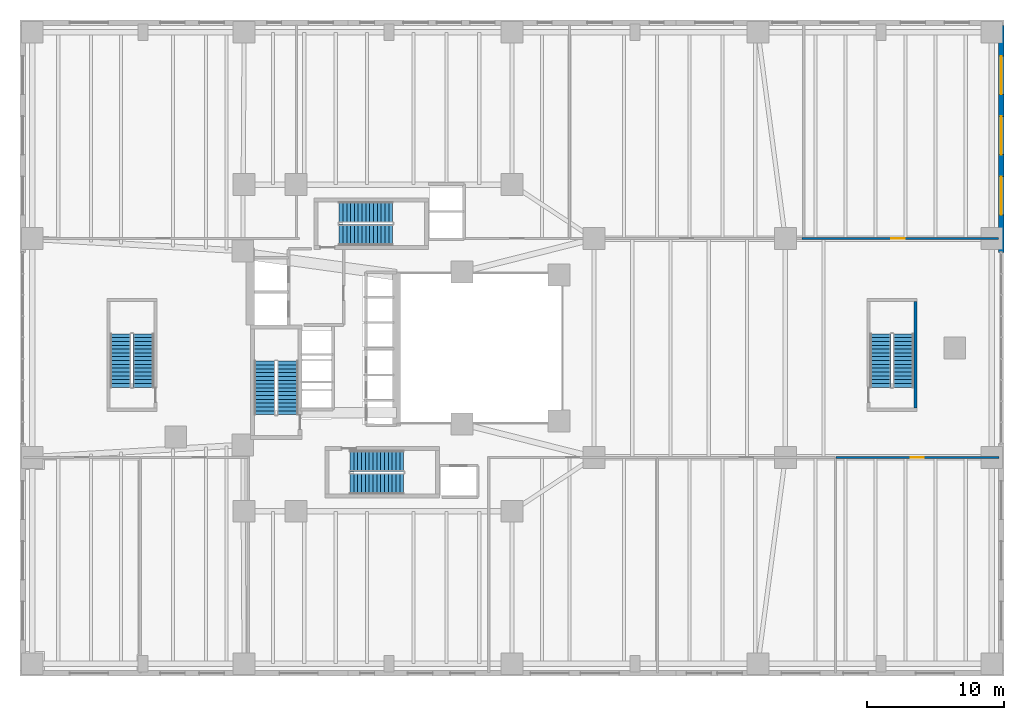
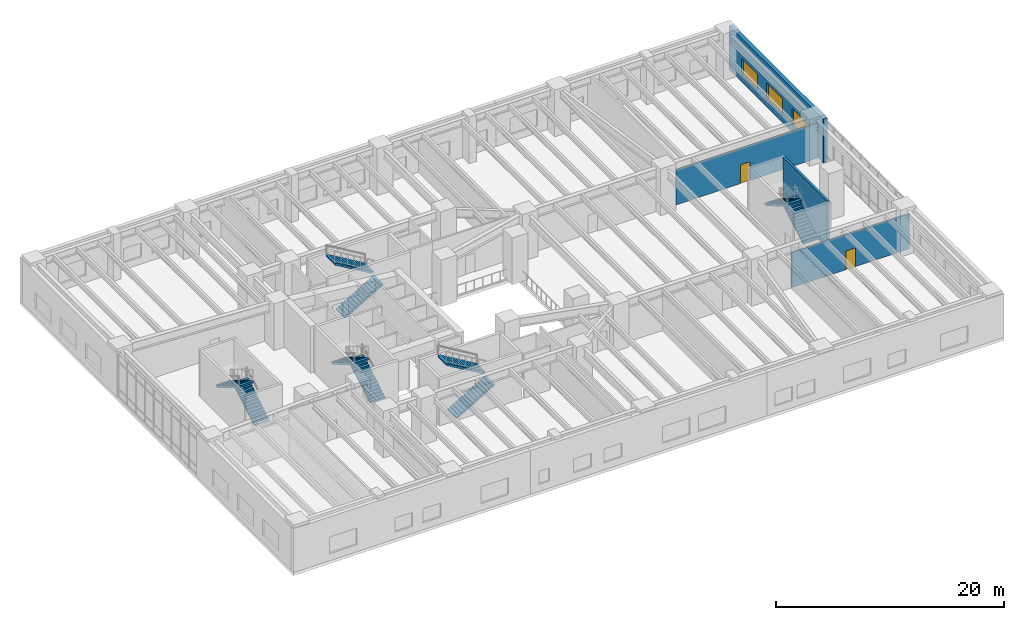
# One storey, part 16 of 18: 10 stair flights, 4 walls, 3 windows, 2 doors, 5 openings, 5 elements without a shape of their own.
"""IFC4 building model written with IfcOpenShell, lengths in metres."""

from ifc_helpers import new_model, si_unit, direction, frame, frame_2d, origin, place, context, subcontext, project, spatial, polyline, rectangle, outline, extrude, material, layer, layer_set, type_object, element, fill, aggregate, save


model = new_model("IFC4")

# Units and contexts
model_context = context("Model", 3, precision=1e-05, world=origin(), true_north=direction((0.0, 1.0)))
body_context = subcontext(model_context, "Body", "Model", "MODEL_VIEW")
ifc_project = project(units=[si_unit("LENGTHUNIT", "METRE"), si_unit("AREAUNIT", "SQUARE_METRE"), si_unit("VOLUMEUNIT", "CUBIC_METRE"), si_unit("PLANEANGLEUNIT", "RADIAN"), si_unit("MASSUNIT", "GRAM", prefix="KILO"), si_unit("THERMODYNAMICTEMPERATUREUNIT", "KELVIN"), si_unit("POWERUNIT", "WATT")], contexts=[model_context])

# Site, building, storey
site_placement = place(None, origin())
site = spatial("IfcSite", under=ifc_project, at=site_placement, CompositionType="ELEMENT")
building_placement = place(site_placement, origin())
building = spatial("IfcBuilding", under=site, at=building_placement, Name="Skarre Station Tower", CompositionType="ELEMENT")
storey_placement = place(building_placement, frame((0.0, 0.0, 11.0)))
storey = spatial("IfcBuildingStorey", under=building, at=storey_placement, Name="L03", CompositionType="ELEMENT", Elevation=11.0)

# Wall, opening, door
ifc_material_1 = material(Name="Acoustic Steel-Stud Gypsum Partition", Category="steel")
ifc_layer_1 = layer(ifc_material_1, 0.14990234375, Name="Acoustic Steel-Stud Gypsum Partition")
ifc_layer_set_1 = layer_set([ifc_layer_1], Name="Acoustic Steel-Stud Gypsum Partition")
wall_type_1 = type_object("IfcWallType", Name="Fire-Rated Corridor Acoustic Partition 150", PredefinedType="PARTITIONING", material=ifc_layer_set_1)
wall_1_placement = place(storey_placement, frame((59.7041015625, 15.97998046875, 0.0), z_axis=(0.0, 0.0, 1.0), x_axis=(1.0, 0.0, 0.0)))
wall_1 = element("IfcWall", 1, at=wall_1_placement, inside=storey, type_object=wall_type_1, Name="L03 Interior Partition WL-PT-L03-PDSE3-CW", PredefinedType="PARTITIONING", context=body_context, shape_type="SweptSolid", body=[
    extrude(rectangle(XDim=11.916015625, YDim=0.14990234375, at=frame_2d((5.9580078125, 0.0))), origin(), (0.0, 0.0, 1.0), 3.741943359375),
])
opening_1_placement = place(wall_1_placement, frame((5.47802734375, 0.0, 0.0)))
opening_1 = element("IfcOpeningElement", 2, at=opening_1_placement, cuts=wall_1, Name="Opening DR-FD60", PredefinedType="OPENING", context=body_context, shape_type="SweptSolid", body=[
    extrude(rectangle(XDim=0.9599609375, YDim=2.0, at=frame_2d((0.47998046875, 1.0))), frame((0.0, 0.0849609375, 0.0), z_axis=(0.0, -1.0, 0.0), x_axis=(1.0, 0.0, 0.0)), (0.0, 0.0, 1.0), 0.169921875),
])
ifc_material_2 = material(Name="Nordic White-Oak Veneer Solid-Core Fire Leaf", Category="wood")
door_type = type_object("IfcDoorType", Name="Corridor Suite Entry Fire Door FD60 960x2150", OperationType="SINGLE_SWING_LEFT", PredefinedType="DOOR", material=ifc_material_2)
door_1_placement = place(opening_1_placement, origin())
door_1 = element("IfcDoor", 3, at=door_1_placement, inside=storey, type_object=door_type, Name="L03 PDSE3 Entry Door", OperationType="SINGLE_SWING_LEFT", OverallHeight=2.0, OverallWidth=0.9599609375, PredefinedType="DOOR", context=body_context, shape_type="SweptSolid", body=[
    extrude(rectangle(XDim=0.9599609375, YDim=2.0, at=frame_2d((0.47998046875, 1.0))), frame((0.0, 0.02490234375, 0.0), z_axis=(0.0, -1.0, 0.0), x_axis=(1.0, 0.0, 0.0)), (0.0, 0.0, 1.0), 0.050048828125),
])
fill(opening_1, door_1)

wall_2_placement = place(storey_placement, frame((71.60498046875, 32.02001953125, 0.0), z_axis=(0.0, 0.0, 1.0), x_axis=(-1.0, 0.0, 0.0)))
wall_2 = element("IfcWall", 4, at=wall_2_placement, inside=storey, type_object=wall_type_1, Name="L03 Interior Partition WL-PT-L03-PDN4-CW", PredefinedType="PARTITIONING", context=body_context, shape_type="SweptSolid", body=[
    extrude(rectangle(XDim=14.380859375, YDim=0.14990234375, at=frame_2d((7.1904296875, 0.0))), origin(), (0.0, 0.0, 1.0), 3.741943359375),
])
opening_2_placement = place(wall_2_placement, frame((6.8798828125, 0.0, 0.0)))
opening_2 = element("IfcOpeningElement", 5, at=opening_2_placement, cuts=wall_2, Name="Opening DR-FD60", PredefinedType="OPENING", context=body_context, shape_type="SweptSolid", body=[
    extrude(rectangle(XDim=0.9599609375, YDim=2.0, at=frame_2d((0.47998046875, 1.0))), frame((0.0, 0.0849609375, 0.0), z_axis=(0.0, -1.0, 0.0), x_axis=(1.0, 0.0, 0.0)), (0.0, 0.0, 1.0), 0.169921875),
])
door_2_placement = place(opening_2_placement, origin())
door_2 = element("IfcDoor", 6, at=door_2_placement, inside=storey, type_object=door_type, Name="L03 PDN4 Entry Door", OperationType="SINGLE_SWING_LEFT", OverallHeight=2.0, OverallWidth=0.9599609375, PredefinedType="DOOR", context=body_context, shape_type="SweptSolid", body=[
    extrude(rectangle(XDim=0.9599609375, YDim=2.0, at=frame_2d((0.47998046875, 1.0))), frame((0.0, 0.02490234375, 0.0), z_axis=(0.0, -1.0, 0.0), x_axis=(1.0, 0.0, 0.0)), (0.0, 0.0, 1.0), 0.050048828125),
])
fill(opening_2, door_2)

# Wall, openings, windows
ifc_material_3 = material(Name="Precast concrete C45/55", Category="concrete")
ifc_layer_2 = layer(ifc_material_3, 0.39990234375, Name="Precast concrete C45/55")
ifc_layer_set_2 = layer_set([ifc_layer_2], Name="Precast concrete C45/55")
wall_type_2 = type_object("IfcWallType", Name="Nordic Granite Station Podium Wall 400", PredefinedType="STANDARD", material=ifc_layer_set_2)
wall_3_placement = place(storey_placement, frame((71.800048828125, 47.60009765625, 0.0), z_axis=(0.0, 0.0, 1.0), x_axis=(0.0, -1.0, 0.0)))
wall_3 = element("IfcWall", 7, at=wall_3_placement, inside=storey, type_object=wall_type_2, Name="L03 Podium Granite Wall EA", PredefinedType="STANDARD", context=body_context, shape_type="SweptSolid", body=[
    extrude(rectangle(XDim=16.60009765625, YDim=0.39990234375, at=frame_2d((8.300048828125, 0.0))), origin(), (0.0, 0.0, 1.0), 4.68994140625),
])
opening_3_placement = place(wall_3_placement, frame((2.242919921875, 0.0, 0.75)))
opening_3 = element("IfcOpeningElement", 8, at=opening_3_placement, cuts=wall_3, Name="Opening WN-POD", PredefinedType="OPENING", context=body_context, shape_type="SweptSolid", body=[
    extrude(rectangle(XDim=2.800048828125, YDim=1.800048828125, at=frame_2d((1.39990234375, 0.89990234375))), frame((0.0, 0.2099609375, 0.0), z_axis=(0.0, -1.0, 0.0), x_axis=(1.0, 0.0, 0.0)), (0.0, 0.0, 1.0), 0.419921875),
])
opening_4_placement = place(wall_3_placement, frame((6.64990234375, 0.0, 0.75)))
opening_4 = element("IfcOpeningElement", 9, at=opening_4_placement, cuts=wall_3, Name="Opening WN-POD", PredefinedType="OPENING", context=body_context, shape_type="SweptSolid", body=[
    extrude(rectangle(XDim=2.800048828125, YDim=1.800048828125, at=frame_2d((1.39990234375, 0.89990234375))), frame((0.0, 0.2099609375, 0.0), z_axis=(0.0, -1.0, 0.0), x_axis=(1.0, 0.0, 0.0)), (0.0, 0.0, 1.0), 0.419921875),
])
opening_5_placement = place(wall_3_placement, frame((11.056884765625, 0.0, 0.75)))
opening_5 = element("IfcOpeningElement", 10, at=opening_5_placement, cuts=wall_3, Name="Opening WN-POD", PredefinedType="OPENING", context=body_context, shape_type="SweptSolid", body=[
    extrude(rectangle(XDim=2.800048828125, YDim=1.800048828125, at=frame_2d((1.39990234375, 0.89990234375))), frame((0.0, 0.2099609375, 0.0), z_axis=(0.0, -1.0, 0.0), x_axis=(1.0, 0.0, 0.0)), (0.0, 0.0, 1.0), 0.419921875),
])
ifc_material_4 = material(Name="Low-Iron Triple Glazing with Bronze Anodized Frame", Category="glass")
window_type = type_object("IfcWindowType", Name="Podium Clerestory Ribbon Window 2800x1800", PartitioningType="SINGLE_PANEL", PredefinedType="WINDOW", material=ifc_material_4)
window_1_placement = place(opening_3_placement, origin())
window_1 = element("IfcWindow", 11, at=window_1_placement, inside=storey, type_object=window_type, Name="L03 Facade Window WL-POD-L03-EA-1", OverallHeight=1.800048828125, OverallWidth=2.800048828125, PartitioningType="SINGLE_PANEL", PredefinedType="WINDOW", context=body_context, shape_type="SweptSolid", body=[
    extrude(rectangle(XDim=2.800048828125, YDim=1.800048828125, at=frame_2d((1.39990234375, 0.89990234375))), frame((0.0, 0.030029296875, 0.0), z_axis=(0.0, -1.0, 0.0), x_axis=(1.0, 0.0, 0.0)), (0.0, 0.0, 1.0), 0.06005859375),
])
fill(opening_3, window_1)
window_2_placement = place(opening_4_placement, origin())
window_2 = element("IfcWindow", 12, at=window_2_placement, inside=storey, type_object=window_type, Name="L03 Facade Window WL-POD-L03-EA-2", OverallHeight=1.800048828125, OverallWidth=2.800048828125, PartitioningType="SINGLE_PANEL", PredefinedType="WINDOW", context=body_context, shape_type="SweptSolid", body=[
    extrude(rectangle(XDim=2.800048828125, YDim=1.800048828125, at=frame_2d((1.39990234375, 0.89990234375))), frame((0.0, 0.030029296875, 0.0), z_axis=(0.0, -1.0, 0.0), x_axis=(1.0, 0.0, 0.0)), (0.0, 0.0, 1.0), 0.06005859375),
])
fill(opening_4, window_2)
window_3_placement = place(opening_5_placement, origin())
window_3 = element("IfcWindow", 13, at=window_3_placement, inside=storey, type_object=window_type, Name="L03 Facade Window WL-POD-L03-EA-3", OverallHeight=1.800048828125, OverallWidth=2.800048828125, PartitioningType="SINGLE_PANEL", PredefinedType="WINDOW", context=body_context, shape_type="SweptSolid", body=[
    extrude(rectangle(XDim=2.800048828125, YDim=1.800048828125, at=frame_2d((1.39990234375, 0.89990234375))), frame((0.0, 0.030029296875, 0.0), z_axis=(0.0, -1.0, 0.0), x_axis=(1.0, 0.0, 0.0)), (0.0, 0.0, 1.0), 0.06005859375),
])
fill(opening_5, window_3)

# Wall
ifc_material_5 = material(Name="Concrete C50/60", Category="concrete")
ifc_layer_3 = layer(ifc_material_5, 0.239990234375, Name="Concrete C50/60")
ifc_layer_set_3 = layer_set([ifc_layer_3], Name="Concrete C50/60")
wall_type_3 = type_object("IfcWallType", Name="RC Core Shear Wall 240", PredefinedType="SHEAR", material=ifc_layer_set_3)
wall_4_placement = place(storey_placement, frame((65.52001953125, 19.60009765625, 0.0), z_axis=(0.0, 0.0, 1.0), x_axis=(0.0, 1.0, 0.0)))
element("IfcWall", 14, at=wall_4_placement, inside=storey, type_object=wall_type_3, Name="L03 Podium Stair ST-5 East Shear Wall", PredefinedType="SHEAR", context=body_context, shape_type="SweptSolid", body=[
    extrude(rectangle(XDim=7.7998046875, YDim=0.239990234375, at=frame_2d((3.89990234375, 0.0))), origin(), (0.0, 0.0, 1.0), 5.0),
])

# Stair, stair flights
ifc_material_6 = material(Name="Concrete C40/50", Category="concrete")
stair_type_1 = type_object("IfcStairType", Name="Reinforced Concrete Exit Stair ST-1", PredefinedType="HALF_TURN_STAIR", material=ifc_material_6)
stair_1_placement = place(storey_placement, origin())
stair_1 = element("IfcStair", 15, at=stair_1_placement, inside=storey, type_object=stair_type_1, Name="L03 Core Exit Stair ST-1", PredefinedType="HALF_TURN_STAIR")
stair_flight_type_1 = type_object("IfcStairFlightType", Name="Reinforced Concrete Stair Flight ST-1", PredefinedType="STRAIGHT", material=ifc_material_6)
stair_flight_1_placement = place(storey_placement, frame((19.590087890625, 19.1201171875, 0.0), z_axis=(0.0, 0.0, 1.0), x_axis=(0.0, 1.0, 0.0)))
stair_flight_1 = element("IfcStairFlight", 16, at=stair_flight_1_placement, type_object=stair_flight_type_1, Name="ST-1 flight 1", NumberOfRisers=15, NumberOfTreads=14, PredefinedType="STRAIGHT", RiserHeight=0.166666667, TreadLength=0.28, context=body_context, shape_type="SweptSolid", body=[
    extrude(outline(polyline([(0.0, 0.0), (0.0, 0.166748046875), (0.280029296875, 0.166748046875), (0.280029296875, 0.333251953125), (0.56005859375, 0.333251953125), (0.56005859375, 0.5), (0.840087890625, 0.5), (0.840087890625, 0.666748046875), (1.1201171875, 0.666748046875), (1.1201171875, 0.833251953125), (1.39990234375, 0.833251953125), (1.39990234375, 1.0), (1.679931640625, 1.0), (1.679931640625, 1.166748046875), (1.9599609375, 1.166748046875), (1.9599609375, 1.333251953125), (2.239990234375, 1.333251953125), (2.239990234375, 1.5), (2.52001953125, 1.5), (2.52001953125, 1.666748046875), (2.800048828125, 1.666748046875), (2.800048828125, 1.833251953125), (3.080078125, 1.833251953125), (3.080078125, 2.0), (3.360107421875, 2.0), (3.360107421875, 2.166748046875), (3.639892578125, 2.166748046875), (3.639892578125, 2.333251953125), (3.919921875, 2.333251953125), (3.919921875, 2.5), (3.919921875, 2.158935546875), (0.29296875, 0.0), (0.0, 0.0)])), frame((0.0, 0.760009765625, 0.0), z_axis=(0.0, -1.0, 0.0), x_axis=(1.0, 0.0, 0.0)), (0.0, 0.0, 1.0), 1.52001953125),
])
stair_flight_2_placement = place(storey_placement, frame((17.909912109375, 23.0400390625, 2.5), z_axis=(0.0, 0.0, 1.0), x_axis=(0.0, -1.0, 0.0)))
stair_flight_2 = element("IfcStairFlight", 17, at=stair_flight_2_placement, type_object=stair_flight_type_1, Name="ST-1 flight 2", NumberOfRisers=15, NumberOfTreads=14, PredefinedType="STRAIGHT", RiserHeight=0.166666667, TreadLength=0.28, context=body_context, shape_type="SweptSolid", body=[
    extrude(outline(polyline([(0.0, 0.0), (0.0, 0.166748046875), (0.280029296875, 0.166748046875), (0.280029296875, 0.333251953125), (0.56005859375, 0.333251953125), (0.56005859375, 0.5), (0.840087890625, 0.5), (0.840087890625, 0.666748046875), (1.1201171875, 0.666748046875), (1.1201171875, 0.833251953125), (1.39990234375, 0.833251953125), (1.39990234375, 1.0), (1.679931640625, 1.0), (1.679931640625, 1.166748046875), (1.9599609375, 1.166748046875), (1.9599609375, 1.333251953125), (2.239990234375, 1.333251953125), (2.239990234375, 1.5), (2.52001953125, 1.5), (2.52001953125, 1.666748046875), (2.800048828125, 1.666748046875), (2.800048828125, 1.833251953125), (3.080078125, 1.833251953125), (3.080078125, 2.0), (3.360107421875, 2.0), (3.360107421875, 2.166748046875), (3.639892578125, 2.166748046875), (3.639892578125, 2.333251953125), (3.919921875, 2.333251953125), (3.919921875, 2.5), (3.919921875, 2.158935546875), (0.29296875, 0.0), (0.0, 0.0)])), frame((0.0, 0.760009765625, 0.0), z_axis=(0.0, -1.0, 0.0), x_axis=(1.0, 0.0, 0.0)), (0.0, 0.0, 1.0), 1.52001953125),
])
aggregate(stair_1, [stair_flight_1, stair_flight_2])

stair_type_2 = type_object("IfcStairType", Name="Reinforced Concrete Exit Stair ST-2", PredefinedType="HALF_TURN_STAIR", material=ifc_material_6)
stair_2_placement = place(storey_placement, origin())
stair_2 = element("IfcStair", 18, at=stair_2_placement, inside=storey, type_object=stair_type_2, Name="L03 Core Exit Stair ST-2", PredefinedType="HALF_TURN_STAIR")
stair_flight_type_2 = type_object("IfcStairFlightType", Name="Reinforced Concrete Stair Flight ST-2", PredefinedType="STRAIGHT", material=ifc_material_6)
stair_flight_3_placement = place(storey_placement, frame((24.14990234375, 14.06005859375, 0.0), z_axis=(0.0, 0.0, 1.0), x_axis=(1.0, 0.0, 0.0)))
stair_flight_3 = element("IfcStairFlight", 19, at=stair_flight_3_placement, type_object=stair_flight_type_2, Name="ST-2 flight 1", NumberOfRisers=15, NumberOfTreads=14, PredefinedType="STRAIGHT", RiserHeight=0.166666667, TreadLength=0.28, context=body_context, shape_type="SweptSolid", body=[
    extrude(outline(polyline([(0.0, 0.0), (0.0, 0.166748046875), (0.280029296875, 0.166748046875), (0.280029296875, 0.333251953125), (0.56005859375, 0.333251953125), (0.56005859375, 0.5), (0.840087890625, 0.5), (0.840087890625, 0.666748046875), (1.1201171875, 0.666748046875), (1.1201171875, 0.833251953125), (1.39990234375, 0.833251953125), (1.39990234375, 1.0), (1.679931640625, 1.0), (1.679931640625, 1.166748046875), (1.9599609375, 1.166748046875), (1.9599609375, 1.333251953125), (2.239990234375, 1.333251953125), (2.239990234375, 1.5), (2.52001953125, 1.5), (2.52001953125, 1.666748046875), (2.800048828125, 1.666748046875), (2.800048828125, 1.833251953125), (3.080078125, 1.833251953125), (3.080078125, 2.0), (3.360107421875, 2.0), (3.360107421875, 2.166748046875), (3.639892578125, 2.166748046875), (3.639892578125, 2.333251953125), (3.919921875, 2.333251953125), (3.919921875, 2.5), (3.919921875, 2.158935546875), (0.29296875, 0.0), (0.0, 0.0)])), frame((0.0, 0.760009765625, 0.0), z_axis=(0.0, -1.0, 0.0), x_axis=(1.0, 0.0, 0.0)), (0.0, 0.0, 1.0), 1.52001953125),
])
stair_flight_4_placement = place(storey_placement, frame((28.070068359375, 15.739990234375, 2.5), z_axis=(0.0, 0.0, 1.0), x_axis=(-1.0, 0.0, 0.0)))
stair_flight_4 = element("IfcStairFlight", 20, at=stair_flight_4_placement, type_object=stair_flight_type_2, Name="ST-2 flight 2", NumberOfRisers=15, NumberOfTreads=14, PredefinedType="STRAIGHT", RiserHeight=0.166666667, TreadLength=0.28, context=body_context, shape_type="SweptSolid", body=[
    extrude(outline(polyline([(0.0, 0.0), (0.0, 0.166748046875), (0.280029296875, 0.166748046875), (0.280029296875, 0.333251953125), (0.56005859375, 0.333251953125), (0.56005859375, 0.5), (0.840087890625, 0.5), (0.840087890625, 0.666748046875), (1.1201171875, 0.666748046875), (1.1201171875, 0.833251953125), (1.39990234375, 0.833251953125), (1.39990234375, 1.0), (1.679931640625, 1.0), (1.679931640625, 1.166748046875), (1.9599609375, 1.166748046875), (1.9599609375, 1.333251953125), (2.239990234375, 1.333251953125), (2.239990234375, 1.5), (2.52001953125, 1.5), (2.52001953125, 1.666748046875), (2.800048828125, 1.666748046875), (2.800048828125, 1.833251953125), (3.080078125, 1.833251953125), (3.080078125, 2.0), (3.360107421875, 2.0), (3.360107421875, 2.166748046875), (3.639892578125, 2.166748046875), (3.639892578125, 2.333251953125), (3.919921875, 2.333251953125), (3.919921875, 2.5), (3.919921875, 2.158935546875), (0.29296875, 0.0), (0.0, 0.0)])), frame((0.0, 0.760009765625, 0.0), z_axis=(0.0, -1.0, 0.0), x_axis=(1.0, 0.0, 0.0)), (0.0, 0.0, 1.0), 1.52001953125),
])
aggregate(stair_2, [stair_flight_3, stair_flight_4])

stair_type_3 = type_object("IfcStairType", Name="Reinforced Concrete Exit Stair ST-3", PredefinedType="HALF_TURN_STAIR", material=ifc_material_6)
stair_3_placement = place(storey_placement, origin())
stair_3 = element("IfcStair", 21, at=stair_3_placement, inside=storey, type_object=stair_type_3, Name="L03 Core Exit Stair ST-3", PredefinedType="HALF_TURN_STAIR")
stair_flight_type_3 = type_object("IfcStairFlightType", Name="Reinforced Concrete Stair Flight ST-3", PredefinedType="STRAIGHT", material=ifc_material_6)
stair_flight_5_placement = place(storey_placement, frame((23.35009765625, 32.260009765625, 0.0), z_axis=(0.0, 0.0, 1.0), x_axis=(1.0, 0.0, 0.0)))
stair_flight_5 = element("IfcStairFlight", 22, at=stair_flight_5_placement, type_object=stair_flight_type_3, Name="ST-3 flight 1", NumberOfRisers=15, NumberOfTreads=14, PredefinedType="STRAIGHT", RiserHeight=0.166666667, TreadLength=0.28, context=body_context, shape_type="SweptSolid", body=[
    extrude(outline(polyline([(0.0, 0.0), (0.0, 0.166748046875), (0.280029296875, 0.166748046875), (0.280029296875, 0.333251953125), (0.56005859375, 0.333251953125), (0.56005859375, 0.5), (0.840087890625, 0.5), (0.840087890625, 0.666748046875), (1.1201171875, 0.666748046875), (1.1201171875, 0.833251953125), (1.39990234375, 0.833251953125), (1.39990234375, 1.0), (1.679931640625, 1.0), (1.679931640625, 1.166748046875), (1.9599609375, 1.166748046875), (1.9599609375, 1.333251953125), (2.239990234375, 1.333251953125), (2.239990234375, 1.5), (2.52001953125, 1.5), (2.52001953125, 1.666748046875), (2.800048828125, 1.666748046875), (2.800048828125, 1.833251953125), (3.080078125, 1.833251953125), (3.080078125, 2.0), (3.360107421875, 2.0), (3.360107421875, 2.166748046875), (3.639892578125, 2.166748046875), (3.639892578125, 2.333251953125), (3.919921875, 2.333251953125), (3.919921875, 2.5), (3.919921875, 2.158935546875), (0.29296875, 0.0), (0.0, 0.0)])), frame((0.0, 0.760009765625, 0.0), z_axis=(0.0, -1.0, 0.0), x_axis=(1.0, 0.0, 0.0)), (0.0, 0.0, 1.0), 1.52001953125),
])
stair_flight_6_placement = place(storey_placement, frame((27.27001953125, 33.93994140625, 2.5), z_axis=(0.0, 0.0, 1.0), x_axis=(-1.0, 0.0, 0.0)))
stair_flight_6 = element("IfcStairFlight", 23, at=stair_flight_6_placement, type_object=stair_flight_type_3, Name="ST-3 flight 2", NumberOfRisers=15, NumberOfTreads=14, PredefinedType="STRAIGHT", RiserHeight=0.166666667, TreadLength=0.28, context=body_context, shape_type="SweptSolid", body=[
    extrude(outline(polyline([(0.0, 0.0), (0.0, 0.166748046875), (0.280029296875, 0.166748046875), (0.280029296875, 0.333251953125), (0.56005859375, 0.333251953125), (0.56005859375, 0.5), (0.840087890625, 0.5), (0.840087890625, 0.666748046875), (1.1201171875, 0.666748046875), (1.1201171875, 0.833251953125), (1.39990234375, 0.833251953125), (1.39990234375, 1.0), (1.679931640625, 1.0), (1.679931640625, 1.166748046875), (1.9599609375, 1.166748046875), (1.9599609375, 1.333251953125), (2.239990234375, 1.333251953125), (2.239990234375, 1.5), (2.52001953125, 1.5), (2.52001953125, 1.666748046875), (2.800048828125, 1.666748046875), (2.800048828125, 1.833251953125), (3.080078125, 1.833251953125), (3.080078125, 2.0), (3.360107421875, 2.0), (3.360107421875, 2.166748046875), (3.639892578125, 2.166748046875), (3.639892578125, 2.333251953125), (3.919921875, 2.333251953125), (3.919921875, 2.5), (3.919921875, 2.158935546875), (0.29296875, 0.0), (0.0, 0.0)])), frame((0.0, 0.760009765625, 0.0), z_axis=(0.0, -1.0, 0.0), x_axis=(1.0, 0.0, 0.0)), (0.0, 0.0, 1.0), 1.52001953125),
])
aggregate(stair_3, [stair_flight_5, stair_flight_6])

stair_type_4 = type_object("IfcStairType", Name="Reinforced Concrete Exit Stair ST-4", PredefinedType="HALF_TURN_STAIR", material=ifc_material_6)
stair_4_placement = place(storey_placement, origin())
stair_4 = element("IfcStair", 24, at=stair_4_placement, inside=storey, type_object=stair_type_4, Name="L03 Podium Concourse Exit Stair ST-4", PredefinedType="HALF_TURN_STAIR")
stair_flight_type_4 = type_object("IfcStairFlightType", Name="Reinforced Concrete Stair Flight ST-4", PredefinedType="STRAIGHT", material=ifc_material_6)
stair_flight_7_placement = place(storey_placement, frame((9.0400390625, 21.1201171875, 0.0), z_axis=(0.0, 0.0, 1.0), x_axis=(0.0, 1.0, 0.0)))
stair_flight_7 = element("IfcStairFlight", 25, at=stair_flight_7_placement, type_object=stair_flight_type_4, Name="ST-4 flight 1", NumberOfRisers=15, NumberOfTreads=14, PredefinedType="STRAIGHT", RiserHeight=0.166666667, TreadLength=0.28, context=body_context, shape_type="SweptSolid", body=[
    extrude(outline(polyline([(0.0, 0.0), (0.0, 0.166748046875), (0.280029296875, 0.166748046875), (0.280029296875, 0.333251953125), (0.56005859375, 0.333251953125), (0.56005859375, 0.5), (0.840087890625, 0.5), (0.840087890625, 0.666748046875), (1.1201171875, 0.666748046875), (1.1201171875, 0.833251953125), (1.39990234375, 0.833251953125), (1.39990234375, 1.0), (1.679931640625, 1.0), (1.679931640625, 1.166748046875), (1.9599609375, 1.166748046875), (1.9599609375, 1.333251953125), (2.239990234375, 1.333251953125), (2.239990234375, 1.5), (2.52001953125, 1.5), (2.52001953125, 1.666748046875), (2.800048828125, 1.666748046875), (2.800048828125, 1.833251953125), (3.080078125, 1.833251953125), (3.080078125, 2.0), (3.360107421875, 2.0), (3.360107421875, 2.166748046875), (3.639892578125, 2.166748046875), (3.639892578125, 2.333251953125), (3.919921875, 2.333251953125), (3.919921875, 2.5), (3.919921875, 2.158935546875), (0.29296875, 0.0), (0.0, 0.0)])), frame((0.0, 0.760009765625, 0.0), z_axis=(0.0, -1.0, 0.0), x_axis=(1.0, 0.0, 0.0)), (0.0, 0.0, 1.0), 1.52001953125),
])
stair_flight_8_placement = place(storey_placement, frame((7.360107421875, 25.0400390625, 2.5), z_axis=(0.0, 0.0, 1.0), x_axis=(0.0, -1.0, 0.0)))
stair_flight_8 = element("IfcStairFlight", 26, at=stair_flight_8_placement, type_object=stair_flight_type_4, Name="ST-4 flight 2", NumberOfRisers=15, NumberOfTreads=14, PredefinedType="STRAIGHT", RiserHeight=0.166666667, TreadLength=0.28, context=body_context, shape_type="SweptSolid", body=[
    extrude(outline(polyline([(0.0, 0.0), (0.0, 0.166748046875), (0.280029296875, 0.166748046875), (0.280029296875, 0.333251953125), (0.56005859375, 0.333251953125), (0.56005859375, 0.5), (0.840087890625, 0.5), (0.840087890625, 0.666748046875), (1.1201171875, 0.666748046875), (1.1201171875, 0.833251953125), (1.39990234375, 0.833251953125), (1.39990234375, 1.0), (1.679931640625, 1.0), (1.679931640625, 1.166748046875), (1.9599609375, 1.166748046875), (1.9599609375, 1.333251953125), (2.239990234375, 1.333251953125), (2.239990234375, 1.5), (2.52001953125, 1.5), (2.52001953125, 1.666748046875), (2.800048828125, 1.666748046875), (2.800048828125, 1.833251953125), (3.080078125, 1.833251953125), (3.080078125, 2.0), (3.360107421875, 2.0), (3.360107421875, 2.166748046875), (3.639892578125, 2.166748046875), (3.639892578125, 2.333251953125), (3.919921875, 2.333251953125), (3.919921875, 2.5), (3.919921875, 2.158935546875), (0.29296875, 0.0), (0.0, 0.0)])), frame((0.0, 0.760009765625, 0.0), z_axis=(0.0, -1.0, 0.0), x_axis=(1.0, 0.0, 0.0)), (0.0, 0.0, 1.0), 1.52001953125),
])
aggregate(stair_4, [stair_flight_7, stair_flight_8])

stair_type_5 = type_object("IfcStairType", Name="Reinforced Concrete Exit Stair ST-5", PredefinedType="HALF_TURN_STAIR", material=ifc_material_6)
stair_5_placement = place(storey_placement, origin())
stair_5 = element("IfcStair", 27, at=stair_5_placement, inside=storey, type_object=stair_type_5, Name="L03 Podium Concourse Exit Stair ST-5", PredefinedType="HALF_TURN_STAIR")
stair_flight_type_5 = type_object("IfcStairFlightType", Name="Reinforced Concrete Stair Flight ST-5", PredefinedType="STRAIGHT", material=ifc_material_6)
stair_flight_9_placement = place(storey_placement, frame((64.639892578125, 21.1201171875, 0.0), z_axis=(0.0, 0.0, 1.0), x_axis=(0.0, 1.0, 0.0)))
stair_flight_9 = element("IfcStairFlight", 28, at=stair_flight_9_placement, type_object=stair_flight_type_5, Name="ST-5 flight 1", NumberOfRisers=15, NumberOfTreads=14, PredefinedType="STRAIGHT", RiserHeight=0.166666667, TreadLength=0.28, context=body_context, shape_type="SweptSolid", body=[
    extrude(outline(polyline([(0.0, 0.0), (0.0, 0.166748046875), (0.280029296875, 0.166748046875), (0.280029296875, 0.333251953125), (0.56005859375, 0.333251953125), (0.56005859375, 0.5), (0.840087890625, 0.5), (0.840087890625, 0.666748046875), (1.1201171875, 0.666748046875), (1.1201171875, 0.833251953125), (1.39990234375, 0.833251953125), (1.39990234375, 1.0), (1.679931640625, 1.0), (1.679931640625, 1.166748046875), (1.9599609375, 1.166748046875), (1.9599609375, 1.333251953125), (2.239990234375, 1.333251953125), (2.239990234375, 1.5), (2.52001953125, 1.5), (2.52001953125, 1.666748046875), (2.800048828125, 1.666748046875), (2.800048828125, 1.833251953125), (3.080078125, 1.833251953125), (3.080078125, 2.0), (3.360107421875, 2.0), (3.360107421875, 2.166748046875), (3.639892578125, 2.166748046875), (3.639892578125, 2.333251953125), (3.919921875, 2.333251953125), (3.919921875, 2.5), (3.919921875, 2.158935546875), (0.29296875, 0.0), (0.0, 0.0)])), frame((0.0, 0.760009765625, 0.0), z_axis=(0.0, -1.0, 0.0), x_axis=(1.0, 0.0, 0.0)), (0.0, 0.0, 1.0), 1.52001953125),
])
stair_flight_10_placement = place(storey_placement, frame((62.9599609375, 25.0400390625, 2.5), z_axis=(0.0, 0.0, 1.0), x_axis=(0.0, -1.0, 0.0)))
stair_flight_10 = element("IfcStairFlight", 29, at=stair_flight_10_placement, type_object=stair_flight_type_5, Name="ST-5 flight 2", NumberOfRisers=15, NumberOfTreads=14, PredefinedType="STRAIGHT", RiserHeight=0.166666667, TreadLength=0.28, context=body_context, shape_type="SweptSolid", body=[
    extrude(outline(polyline([(0.0, 0.0), (0.0, 0.166748046875), (0.280029296875, 0.166748046875), (0.280029296875, 0.333251953125), (0.56005859375, 0.333251953125), (0.56005859375, 0.5), (0.840087890625, 0.5), (0.840087890625, 0.666748046875), (1.1201171875, 0.666748046875), (1.1201171875, 0.833251953125), (1.39990234375, 0.833251953125), (1.39990234375, 1.0), (1.679931640625, 1.0), (1.679931640625, 1.166748046875), (1.9599609375, 1.166748046875), (1.9599609375, 1.333251953125), (2.239990234375, 1.333251953125), (2.239990234375, 1.5), (2.52001953125, 1.5), (2.52001953125, 1.666748046875), (2.800048828125, 1.666748046875), (2.800048828125, 1.833251953125), (3.080078125, 1.833251953125), (3.080078125, 2.0), (3.360107421875, 2.0), (3.360107421875, 2.166748046875), (3.639892578125, 2.166748046875), (3.639892578125, 2.333251953125), (3.919921875, 2.333251953125), (3.919921875, 2.5), (3.919921875, 2.158935546875), (0.29296875, 0.0), (0.0, 0.0)])), frame((0.0, 0.760009765625, 0.0), z_axis=(0.0, -1.0, 0.0), x_axis=(1.0, 0.0, 0.0)), (0.0, 0.0, 1.0), 1.52001953125),
])
aggregate(stair_5, [stair_flight_9, stair_flight_10])

save(model, "model.ifc")
